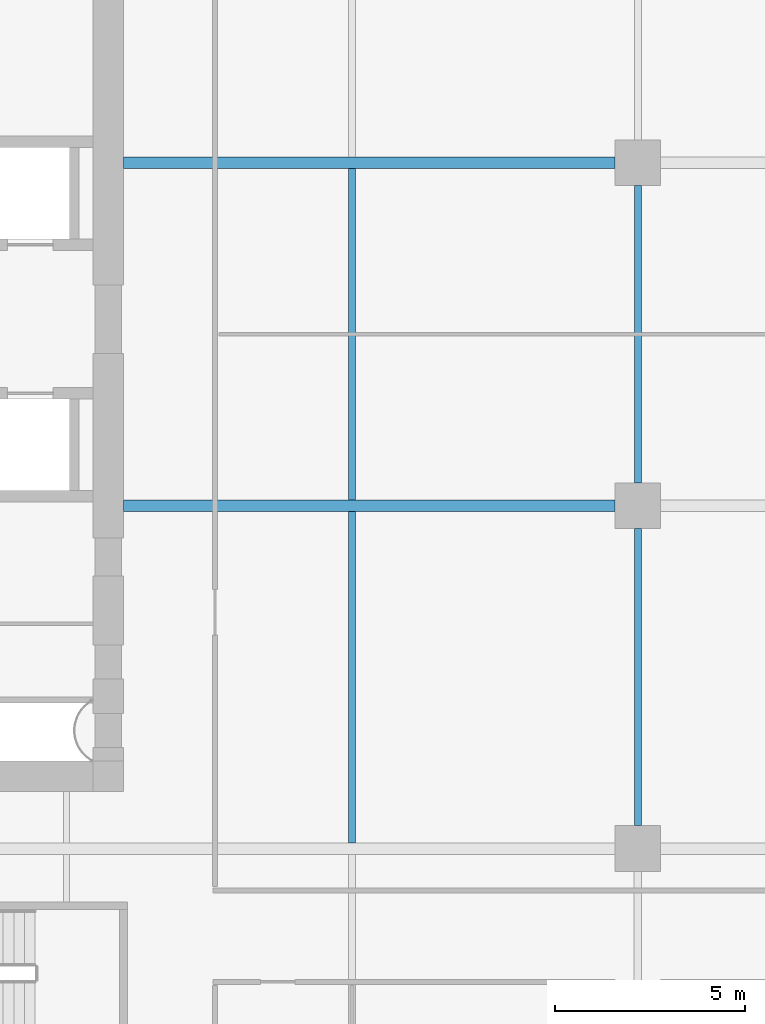
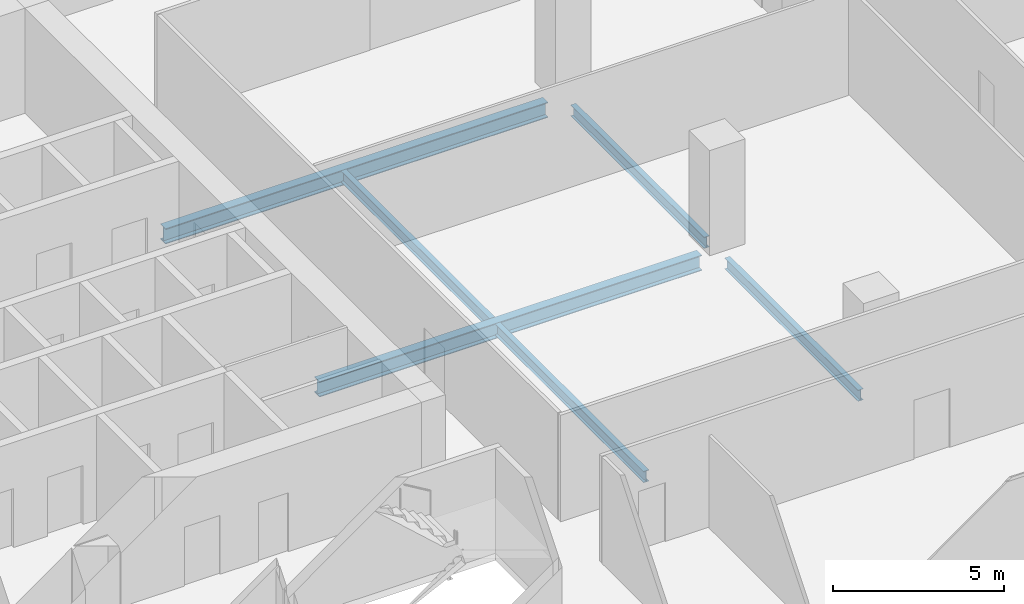
# One storey, part 9 of 38: 6 beams.
"""IFC4 building model written with IfcOpenShell, lengths in metres."""

from ifc_helpers import new_model, si_unit, direction, frame, origin, origin_2d, place, context, subcontext, project, spatial, i_section, extrude, source, transform, mapped, material, material_profile, profile_set, type_object, element, save


model = new_model("IFC4")

# Units and contexts
model_context = context("Model", 3, precision=1e-05, world=origin(), true_north=direction((0.0, 1.0)))
body_context = subcontext(model_context, "Body", "Model", "MODEL_VIEW")
ifc_project = project(units=[si_unit("LENGTHUNIT", "METRE"), si_unit("AREAUNIT", "SQUARE_METRE"), si_unit("VOLUMEUNIT", "CUBIC_METRE"), si_unit("PLANEANGLEUNIT", "RADIAN"), si_unit("MASSUNIT", "GRAM", prefix="KILO")], contexts=[model_context])

# Site, building, storey
site_placement = place(None, origin())
site = spatial("IfcSite", under=ifc_project, at=site_placement, CompositionType="ELEMENT")
building_placement = place(site_placement, origin())
building = spatial("IfcBuilding", under=site, at=building_placement, Name="Khomas Fold Tower", CompositionType="ELEMENT")
storey_placement = place(building_placement, frame((0.0, 0.0, 196.699951171875)))
storey = spatial("IfcBuildingStorey", under=building, at=storey_placement, Name="L43", CompositionType="ELEMENT", Elevation=196.699951171875)

# Beams
ifc_material_1 = material(Name="Steel S355", Category="steel")
ifc_material_profile_1 = material_profile(ifc_material_1, i_section(OverallWidth=0.179931640625, OverallDepth=0.39990234375, WebThickness=0.008544921875, FlangeThickness=0.013427734375, at=origin_2d()), Name="IPE 400")
ifc_profile_set_1 = profile_set([ifc_material_profile_1], Name="Steel S355")
beam_type_1 = type_object("IfcBeamType", Name="IPE 400 beam JB3", PredefinedType="BEAM", material=ifc_profile_set_1)
shared_shape_1 = source(origin(), body_context, "Body", "SweptSolid", [
    extrude(i_section(OverallWidth=0.179931640625, OverallDepth=0.39990234375, WebThickness=0.008544921875, FlangeThickness=0.013427734375, at=origin_2d()), origin(), (0.0, 0.0, 1.0), 8.7001953125),
])
for number, where, z_axis, x_axis, name in (
    (1, (27.0, 13.64990234375, -0.449951171875), (0.0, 1.0, 0.0), (-1.0, 0.0, 0.0), "JB3"),
    (2, (27.0, 22.64990234375, -0.449951171875), (0.0, 1.0, 0.0), (-1.0, 0.0, 0.0), "JB3"),
):
    element("IfcBeam", number, at=place(storey_placement, frame(where, z_axis=z_axis, x_axis=x_axis)), inside=storey, type_object=beam_type_1, Name=name, PredefinedType="BEAM", context=body_context, shape_type="MappedRepresentation", body=[
        mapped(shared_shape_1, transform((0.0, 0.0, 0.0))),
    ])
ifc_material_2 = material(Name="Steel S355", Category="steel")
ifc_material_profile_2 = material_profile(ifc_material_2, i_section(OverallWidth=0.300048828125, OverallDepth=0.550048828125, WebThickness=0.014892578125, FlangeThickness=0.029052734375, at=origin_2d()), Name="HE 550 B")
ifc_profile_set_2 = profile_set([ifc_material_profile_2], Name="Steel S355")
beam_type_2 = type_object("IfcBeamType", Name="HE 550 B beam GB4", PredefinedType="BEAM", material=ifc_profile_set_2)
shared_shape_2 = source(origin(), body_context, "Body", "SweptSolid", [
    extrude(i_section(OverallWidth=0.300048828125, OverallDepth=0.550048828125, WebThickness=0.014892578125, FlangeThickness=0.029052734375, at=origin_2d()), origin(), (0.0, 0.0, 1.0), 12.89990234375),
])
for number, where, z_axis, x_axis, name in (
    (3, (21.0, 22.5, -0.52490234375), (1.0, 0.0, 0.0), (0.0, 1.0, 0.0), "GB4"),
    (4, (21.0, 31.5, -0.52490234375), (1.0, 0.0, 0.0), (0.0, 1.0, 0.0), "GB4"),
):
    element("IfcBeam", number, at=place(storey_placement, frame(where, z_axis=z_axis, x_axis=x_axis)), inside=storey, type_object=beam_type_2, Name=name, PredefinedType="BEAM", context=body_context, shape_type="MappedRepresentation", body=[
        mapped(shared_shape_2, transform((0.0, 0.0, 0.0))),
    ])
shared_shape_3 = source(origin(), body_context, "Body", "SweptSolid", [
    extrude(i_section(OverallWidth=0.179931640625, OverallDepth=0.39990234375, WebThickness=0.008544921875, FlangeThickness=0.013427734375, at=origin_2d()), origin(), (0.0, 0.0, 1.0), 7.7998046875),
])
for number, where, z_axis, x_axis, name in (
    (5, (34.5, 14.10009765625, -0.449951171875), (0.0, 1.0, 0.0), (-1.0, 0.0, 0.0), "JB3"),
    (6, (34.5, 23.10009765625, -0.449951171875), (0.0, 1.0, 0.0), (-1.0, 0.0, 0.0), "JB3"),
):
    element("IfcBeam", number, at=place(storey_placement, frame(where, z_axis=z_axis, x_axis=x_axis)), inside=storey, type_object=beam_type_1, Name=name, PredefinedType="BEAM", context=body_context, shape_type="MappedRepresentation", body=[
        mapped(shared_shape_3, transform((0.0, 0.0, 0.0))),
    ])

save(model, "model.ifc")
